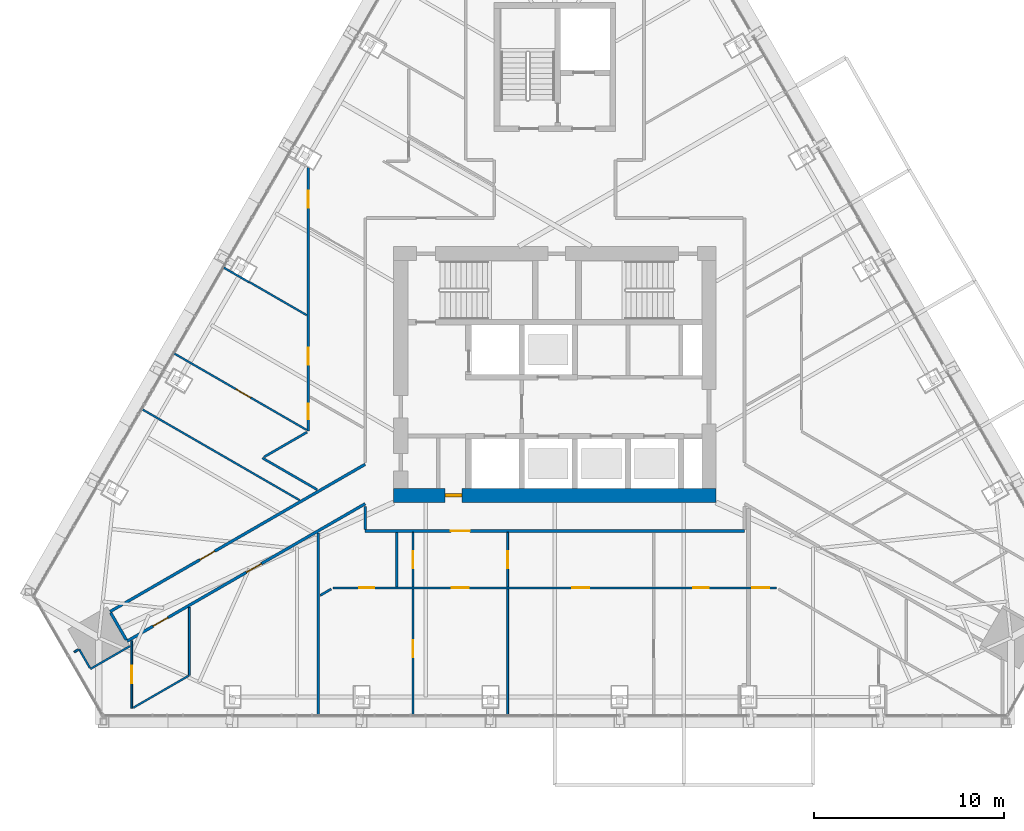
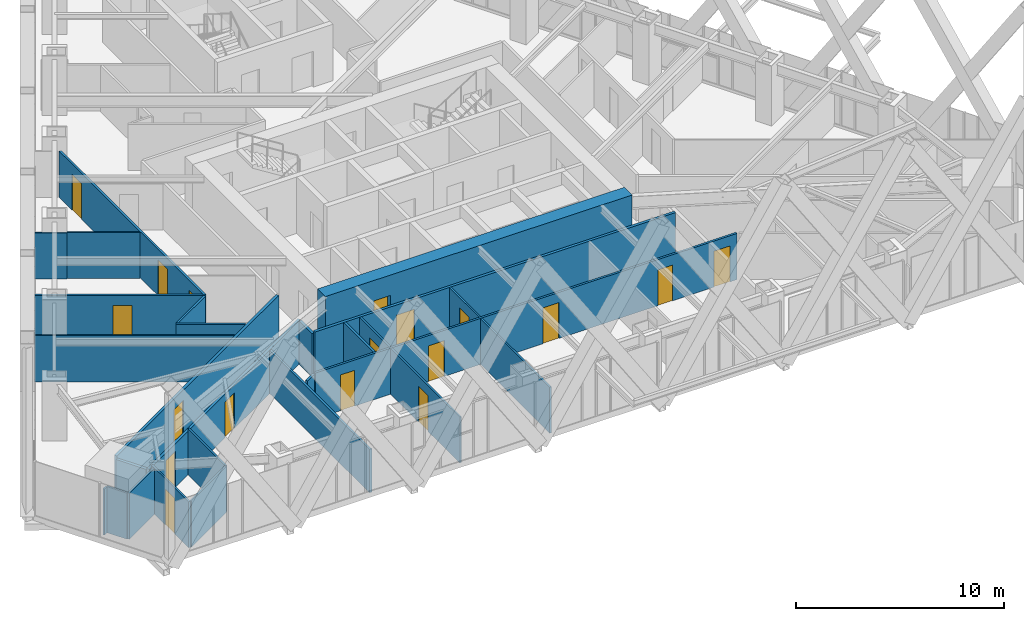
# One storey, part 18 of 24: 27 walls, 18 doors, 18 openings.
"""IFC4 building model written with IfcOpenShell, lengths in metres."""

from ifc_helpers import new_model, si_unit, direction, frame, frame_2d, origin, place, context, subcontext, project, spatial, rectangle, extrude, material, layer, layer_set, type_object, element, fill, save


model = new_model("IFC4")

# Units and contexts
model_context = context("Model", 3, precision=1e-05, world=origin(), true_north=direction((0.0, 1.0)))
body_context = subcontext(model_context, "Body", "Model", "MODEL_VIEW")
ifc_project = project(units=[si_unit("LENGTHUNIT", "METRE"), si_unit("AREAUNIT", "SQUARE_METRE"), si_unit("VOLUMEUNIT", "CUBIC_METRE"), si_unit("PLANEANGLEUNIT", "RADIAN"), si_unit("MASSUNIT", "GRAM", prefix="KILO")], contexts=[model_context])

# Site, building, storey
site_placement = place(None, origin())
site = spatial("IfcSite", under=ifc_project, at=site_placement, CompositionType="ELEMENT")
building_placement = place(site_placement, origin())
building = spatial("IfcBuilding", under=site, at=building_placement, Name="Firuza Gate Tower and Library", CompositionType="ELEMENT")
storey_placement = place(building_placement, frame((0.0, 0.0, 260.10009765625)))
storey = spatial("IfcBuildingStorey", under=building, at=storey_placement, Name="L61", CompositionType="ELEMENT", Elevation=260.10009765625)

# Wall, opening, door
ifc_material_1 = material(Name="Concrete C60/75", Category="concrete")
ifc_layer_1 = layer(ifc_material_1, 0.75)
ifc_layer_set_1 = layer_set([ifc_layer_1], Name="Core wall 750 C60/75")
wall_type_1 = type_object("IfcWallType", Name="Core wall 750 C60/75", PredefinedType="SHEAR", material=ifc_layer_set_1)
wall_1_placement = place(storey_placement, frame((66.5, 68.625, 0.0), z_axis=(0.0, 0.0, 1.0), x_axis=(1.0, 0.0, 0.0)))
wall_1 = element("IfcWall", 1, at=wall_1_placement, inside=storey, type_object=wall_type_1, Name="Core wall L61 1", PredefinedType="SHEAR", context=body_context, shape_type="SweptSolid", body=[
    extrude(rectangle(XDim=17.0, YDim=0.75, at=frame_2d((8.5, 0.0))), origin(), (0.0, 0.0, 1.0), 3.2998046875),
])
opening_1_placement = place(wall_1_placement, frame((2.699951171875, 0.0, 0.0)))
opening_1 = element("IfcOpeningElement", 2, at=opening_1_placement, cuts=wall_1, Name="Opening L61-K18", PredefinedType="OPENING", context=body_context, shape_type="SweptSolid", body=[
    extrude(rectangle(XDim=0.89990234375, YDim=2.10009765625, at=frame_2d((0.449951171875, 1.050048828125))), frame((0.0, 0.385009765625, 0.0), z_axis=(0.0, -1.0, 0.0), x_axis=(1.0, 0.0, 0.0)), (0.0, 0.0, 1.0), 0.77001953125),
])
ifc_material_2 = material(Name="Steel", Category="steel")
door_type_1 = type_object("IfcDoorType", Name="Fire door 900x2100 FD30S", OperationType="NOTDEFINED", PredefinedType="DOOR", material=ifc_material_2)
door_1_placement = place(opening_1_placement, origin())
door_1 = element("IfcDoor", 3, at=door_1_placement, inside=storey, type_object=door_type_1, Name="Door L61-K18", OperationType="SINGLE_SWING_LEFT", OverallHeight=2.10009765625, OverallWidth=0.89990234375, PredefinedType="DOOR", context=body_context, shape_type="SweptSolid", body=[
    extrude(rectangle(XDim=0.89990234375, YDim=2.10009765625, at=frame_2d((0.449951171875, 1.050048828125))), frame((0.0, 0.094970703125, 0.0), z_axis=(0.0, -1.0, 0.0), x_axis=(1.0, 0.0, 0.0)), (0.0, 0.0, 1.0), 0.18994140625),
])
fill(opening_1, door_1)

ifc_material_3 = material(Name="Gypsum board partition")
ifc_layer_2 = layer(ifc_material_3, 0.14990234375)
ifc_layer_set_2 = layer_set([ifc_layer_2], Name="Corridor wall 150 double board on steel studs")
wall_type_2 = type_object("IfcWallType", Name="Corridor wall 150 double board on steel studs", PredefinedType="PARTITIONING", material=ifc_layer_set_2)
wall_2_placement = place(storey_placement, frame((85.0, 66.75, 0.0), z_axis=(0.0, 0.0, 1.0), x_axis=(-1.0, 0.0, 0.0)))
wall_2 = element("IfcWall", 4, at=wall_2_placement, inside=storey, type_object=wall_type_2, Name="f:L61:w003", PredefinedType="PARTITIONING", context=body_context, shape_type="SweptSolid", body=[
    extrude(rectangle(XDim=20.0, YDim=0.14990234375, at=frame_2d((10.0, 0.0))), origin(), (0.0, 0.0, 1.0), 2.699951171875),
])
opening_2_placement = place(wall_2_placement, frame((14.486572265625, 0.0, 0.0)))
opening_2 = element("IfcOpeningElement", 5, at=opening_2_placement, cuts=wall_2, Name="Opening L61-06", PredefinedType="OPENING", context=body_context, shape_type="SweptSolid", body=[
    extrude(rectangle(XDim=1.0, YDim=2.10009765625, at=frame_2d((0.5, 1.050048828125))), frame((0.0, 0.0849609375, 0.0), z_axis=(0.0, -1.0, 0.0), x_axis=(1.0, 0.0, 0.0)), (0.0, 0.0, 1.0), 0.169921875),
])
ifc_material_4 = material(Name="Steel door and timber leaf", Category="steel")
door_type_2 = type_object("IfcDoorType", Name="Fire door 1000 x 2100 steel frame, timber leaf", OperationType="NOTDEFINED", PredefinedType="DOOR", material=ifc_material_4)
door_2_placement = place(opening_2_placement, origin())
door_2 = element("IfcDoor", 6, at=door_2_placement, inside=storey, type_object=door_type_2, Name="f:L61:d006", OperationType="SINGLE_SWING_LEFT", OverallHeight=2.10009765625, OverallWidth=1.0, PredefinedType="DOOR", context=body_context, shape_type="SweptSolid", body=[
    extrude(rectangle(XDim=1.0, YDim=2.10009765625, at=frame_2d((0.5, 1.050048828125))), frame((0.0, 0.02490234375, 0.0), z_axis=(0.0, -1.0, 0.0), x_axis=(1.0, 0.0, 0.0)), (0.0, 0.0, 1.0), 0.050048828125),
])
fill(opening_2, door_2)

# Wall, openings, doors
wall_3_placement = place(storey_placement, frame((65.0, 68.187255859375, 0.0), z_axis=(0.0, 0.0, 1.0), x_axis=(-0.866027660432, -0.499996091351, 0.0)))
wall_3 = element("IfcWall", 7, at=wall_3_placement, inside=storey, type_object=wall_type_2, Name="f:L61:w023", PredefinedType="PARTITIONING", context=body_context, shape_type="SweptSolid", body=[
    extrude(rectangle(XDim=14.49365234375, YDim=0.14990234375, at=frame_2d((7.246826171875, 0.0))), origin(), (0.0, 0.0, 1.0), 2.546875),
])
opening_3_placement = place(wall_3_placement, frame((6.324462890625, 0.0, 0.0)))
opening_3 = element("IfcOpeningElement", 8, at=opening_3_placement, cuts=wall_3, Name="Opening L61-14", PredefinedType="OPENING", context=body_context, shape_type="SweptSolid", body=[
    extrude(rectangle(XDim=0.89990234375, YDim=2.10009765625, at=frame_2d((0.449951171875, 1.050048828125))), frame((0.0, 0.0849609375, 0.0), z_axis=(0.0, -1.0, 0.0), x_axis=(1.0, 0.0, 0.0)), (0.0, 0.0, 1.0), 0.169921875),
])
opening_4_placement = place(wall_3_placement, frame((12.003662109375, 0.0, 0.0)))
opening_4 = element("IfcOpeningElement", 9, at=opening_4_placement, cuts=wall_3, Name="Opening L61-15", PredefinedType="OPENING", context=body_context, shape_type="SweptSolid", body=[
    extrude(rectangle(XDim=0.89990234375, YDim=2.10009765625, at=frame_2d((0.449951171875, 1.050048828125))), frame((0.0, 0.0849609375, 0.0), z_axis=(0.0, -1.0, 0.0), x_axis=(1.0, 0.0, 0.0)), (0.0, 0.0, 1.0), 0.169921875),
])
ifc_material_5 = material(Name="Steel door and timber leaf", Category="steel")
door_type_3 = type_object("IfcDoorType", Name="Fire door 900 x 2100 steel frame, timber leaf", OperationType="NOTDEFINED", PredefinedType="DOOR", material=ifc_material_5)
door_3_placement = place(opening_3_placement, origin())
door_3 = element("IfcDoor", 10, at=door_3_placement, inside=storey, type_object=door_type_3, Name="f:L61:d014", OperationType="SINGLE_SWING_RIGHT", OverallHeight=2.10009765625, OverallWidth=0.89990234375, PredefinedType="DOOR", context=body_context, shape_type="SweptSolid", body=[
    extrude(rectangle(XDim=0.89990234375, YDim=2.10009765625, at=frame_2d((0.449951171875, 1.050048828125))), frame((0.0, 0.02490234375, 0.0), z_axis=(0.0, -1.0, 0.0), x_axis=(1.0, 0.0, 0.0)), (0.0, 0.0, 1.0), 0.050048828125),
])
fill(opening_3, door_3)
door_4_placement = place(opening_4_placement, origin())
door_4 = element("IfcDoor", 11, at=door_4_placement, inside=storey, type_object=door_type_3, Name="f:L61:d015", OperationType="SINGLE_SWING_LEFT", OverallHeight=2.10009765625, OverallWidth=0.89990234375, PredefinedType="DOOR", context=body_context, shape_type="SweptSolid", body=[
    extrude(rectangle(XDim=0.89990234375, YDim=2.10009765625, at=frame_2d((0.449951171875, 1.050048828125))), frame((0.0, 0.02490234375, 0.0), z_axis=(0.0, -1.0, 0.0), x_axis=(1.0, 0.0, 0.0)), (0.0, 0.0, 1.0), 0.050048828125),
])
fill(opening_4, door_4)

# Wall, opening, door
wall_4_placement = place(storey_placement, frame((51.548583984375, 62.49951171875, 0.0), z_axis=(0.0, 0.0, 1.0), x_axis=(0.866020420161, 0.50000863179, 0.0)))
wall_4 = element("IfcWall", 12, at=wall_4_placement, inside=storey, type_object=wall_type_2, Name="f:L61:w025", PredefinedType="PARTITIONING", context=body_context, shape_type="SweptSolid", body=[
    extrude(rectangle(XDim=15.532470703125, YDim=0.14990234375, at=frame_2d((7.76611328125, 0.0))), origin(), (0.0, 0.0, 1.0), 2.699951171875),
])
opening_5_placement = place(wall_4_placement, frame((5.473876953125, 0.0, 0.0)))
opening_5 = element("IfcOpeningElement", 13, at=opening_5_placement, cuts=wall_4, Name="Opening L61-16", PredefinedType="OPENING", context=body_context, shape_type="SweptSolid", body=[
    extrude(rectangle(XDim=0.89990234375, YDim=2.10009765625, at=frame_2d((0.449951171875, 1.050048828125))), frame((0.0, 0.0849609375, 0.0), z_axis=(0.0, -1.0, 0.0), x_axis=(1.0, 0.0, 0.0)), (0.0, 0.0, 1.0), 0.169921875),
])
door_5_placement = place(opening_5_placement, origin())
door_5 = element("IfcDoor", 14, at=door_5_placement, inside=storey, type_object=door_type_3, Name="f:L61:d016", OperationType="SINGLE_SWING_RIGHT", OverallHeight=2.10009765625, OverallWidth=0.89990234375, PredefinedType="DOOR", context=body_context, shape_type="SweptSolid", body=[
    extrude(rectangle(XDim=0.89990234375, YDim=2.10009765625, at=frame_2d((0.449951171875, 1.050048828125))), frame((0.0, 0.02490234375, 0.0), z_axis=(0.0, -1.0, 0.0), x_axis=(1.0, 0.0, 0.0)), (0.0, 0.0, 1.0), 0.050048828125),
])
fill(opening_5, door_5)

# Walls
wall_5_placement = place(storey_placement, frame((65.0, 66.824951171875, 0.0), z_axis=(0.0, 0.0, 1.0), x_axis=(0.0, 1.0, 0.0)))
element("IfcWall", 15, at=wall_5_placement, inside=storey, type_object=wall_type_2, Name="f:L61:w056", PredefinedType="PARTITIONING", context=body_context, shape_type="SweptSolid", body=[
    extrude(rectangle(XDim=1.225830078125, YDim=0.14990234375, at=frame_2d((0.61279296875, 0.0))), origin(), (0.0, 0.0, 1.0), 2.546875),
])
wall_6_placement = place(storey_placement, frame((52.408203125, 61.01025390625, 0.0), z_axis=(0.0, 0.0, 1.0), x_axis=(-0.499988108725, 0.866032269107, 0.0)))
element("IfcWall", 16, at=wall_6_placement, inside=storey, type_object=wall_type_2, Name="f:L61:w062", PredefinedType="PARTITIONING", context=body_context, shape_type="SweptSolid", body=[
    extrude(rectangle(XDim=1.64404296875, YDim=0.14990234375, at=frame_2d((0.822021484375, 0.0))), origin(), (0.0, 0.0, 1.0), 2.546875),
])
ifc_material_6 = material(Name="Gypsum board partition")
ifc_layer_3 = layer(ifc_material_6, 0.10009765625)
ifc_layer_set_3 = layer_set([ifc_layer_3], Name="Partition 100 gypsum board on steel studs")
wall_type_3 = type_object("IfcWallType", Name="Partition 100 gypsum board on steel studs", PredefinedType="PARTITIONING", material=ifc_layer_set_3)
wall_7_placement = place(storey_placement, frame((52.779052734375, 57.4365234375, 0.0), z_axis=(0.0, 0.0, 1.0), x_axis=(0.866038859646, 0.49997669304, 0.0)))
element("IfcWall", 17, at=wall_7_placement, inside=storey, type_object=wall_type_3, Name="f:L61:w018", PredefinedType="PARTITIONING", context=body_context, shape_type="SweptSolid", body=[
    extrude(rectangle(XDim=3.352783203125, YDim=0.10009765625, at=frame_2d((1.67626953125, 0.0))), origin(), (0.0, 0.0, 1.0), 2.699951171875),
])
wall_8_placement = place(storey_placement, frame((50.52001953125, 59.48095703125, 0.0), z_axis=(0.0, 0.0, 1.0), x_axis=(0.866036455013, 0.499980858223, 0.0)))
element("IfcWall", 18, at=wall_8_placement, inside=storey, type_object=wall_type_3, Name="f:L61:w021", PredefinedType="PARTITIONING", context=body_context, shape_type="SweptSolid", body=[
    extrude(rectangle(XDim=2.39892578125, YDim=0.10009765625, at=frame_2d((1.199462890625, 0.0))), origin(), (0.0, 0.0, 1.0), 2.699951171875),
])
wall_9_placement = place(storey_placement, frame((49.65966796875, 60.369873046875, 0.0), z_axis=(0.0, 0.0, 1.0), x_axis=(0.866006330792, 0.500033033937, 0.0)))
element("IfcWall", 19, at=wall_9_placement, inside=storey, type_object=wall_type_3, Name="f:L61:w024", PredefinedType="PARTITIONING", context=body_context, shape_type="SweptSolid", body=[
    extrude(rectangle(XDim=0.24951171875, YDim=0.10009765625, at=frame_2d((0.124755859375, 0.0))), origin(), (0.0, 0.0, 1.0), 2.699951171875),
])
wall_10_placement = place(storey_placement, frame((72.507080078125, 57.042236328125, 0.0), z_axis=(0.0, 0.0, 1.0), x_axis=(0.0, 1.0, 0.0)))
element("IfcWall", 20, at=wall_10_placement, inside=storey, type_object=wall_type_3, Name="f:L61:w050", PredefinedType="PARTITIONING", context=body_context, shape_type="SweptSolid", body=[
    extrude(rectangle(XDim=6.647705078125, YDim=0.10009765625, at=frame_2d((3.32373046875, 0.0))), origin(), (0.0, 0.0, 1.0), 2.68798828125),
])

# Wall, opening, door
wall_11_placement = place(storey_placement, frame((67.52001953125, 57.042236328125, 0.0), z_axis=(0.0, 0.0, 1.0), x_axis=(0.0, 1.0, 0.0)))
wall_11 = element("IfcWall", 21, at=wall_11_placement, inside=storey, type_object=wall_type_3, Name="f:L61:w053", PredefinedType="PARTITIONING", context=body_context, shape_type="SweptSolid", body=[
    extrude(rectangle(XDim=6.647705078125, YDim=0.10009765625, at=frame_2d((3.32373046875, 0.0))), origin(), (0.0, 0.0, 1.0), 2.68798828125),
])
opening_6_placement = place(wall_11_placement, frame((3.053955078125, 0.0, 0.0)))
opening_6 = element("IfcOpeningElement", 22, at=opening_6_placement, cuts=wall_11, Name="Opening L61-24", PredefinedType="OPENING", context=body_context, shape_type="SweptSolid", body=[
    extrude(rectangle(XDim=0.89990234375, YDim=2.10009765625, at=frame_2d((0.449951171875, 1.050048828125))), frame((0.0, 0.06005859375, 0.0), z_axis=(0.0, -1.0, 0.0), x_axis=(1.0, 0.0, 0.0)), (0.0, 0.0, 1.0), 0.1201171875),
])
ifc_material_7 = material(Name="Timber door", Category="wood")
door_type_4 = type_object("IfcDoorType", Name="Door 900 x 2100 timber leaf", OperationType="NOTDEFINED", PredefinedType="DOOR", material=ifc_material_7)
door_6_placement = place(opening_6_placement, origin())
door_6 = element("IfcDoor", 23, at=door_6_placement, inside=storey, type_object=door_type_4, Name="f:L61:d024", OperationType="SINGLE_SWING_LEFT", OverallHeight=2.10009765625, OverallWidth=0.89990234375, PredefinedType="DOOR", context=body_context, shape_type="SweptSolid", body=[
    extrude(rectangle(XDim=0.89990234375, YDim=2.10009765625, at=frame_2d((0.449951171875, 1.050048828125))), frame((0.0, 0.02490234375, 0.0), z_axis=(0.0, -1.0, 0.0), x_axis=(1.0, 0.0, 0.0)), (0.0, 0.0, 1.0), 0.050048828125),
])
fill(opening_6, door_6)

# Wall
wall_12_placement = place(storey_placement, frame((55.73291015625, 59.142333984375, 0.0), z_axis=(0.0, 0.0, 1.0), x_axis=(0.0, 1.0, 0.0)))
element("IfcWall", 24, at=wall_12_placement, inside=storey, type_object=wall_type_3, Name="f:L61:w060", PredefinedType="PARTITIONING", context=body_context, shape_type="SweptSolid", body=[
    extrude(rectangle(XDim=3.578125, YDim=0.10009765625, at=frame_2d((1.7890625, 0.0))), origin(), (0.0, 0.0, 1.0), 2.699951171875),
])

# Wall, opening, door
wall_13_placement = place(storey_placement, frame((52.697021484375, 60.96728515625, 0.0), z_axis=(0.0, 0.0, 1.0), x_axis=(0.0, -1.0, 0.0)))
wall_13 = element("IfcWall", 25, at=wall_13_placement, inside=storey, type_object=wall_type_3, Name="f:L61:w061", PredefinedType="PARTITIONING", context=body_context, shape_type="SweptSolid", body=[
    extrude(rectangle(XDim=3.565185546875, YDim=0.10009765625, at=frame_2d((1.78271484375, 0.0))), origin(), (0.0, 0.0, 1.0), 2.699951171875),
])
opening_7_placement = place(wall_13_placement, frame((1.33251953125, 0.0, 0.0)))
opening_7 = element("IfcOpeningElement", 26, at=opening_7_placement, cuts=wall_13, Name="Opening L61-29", PredefinedType="OPENING", context=body_context, shape_type="SweptSolid", body=[
    extrude(rectangle(XDim=0.89990234375, YDim=2.10009765625, at=frame_2d((0.449951171875, 1.050048828125))), frame((0.0, 0.06005859375, 0.0), z_axis=(0.0, -1.0, 0.0), x_axis=(1.0, 0.0, 0.0)), (0.0, 0.0, 1.0), 0.1201171875),
])
door_7_placement = place(opening_7_placement, origin())
door_7 = element("IfcDoor", 27, at=door_7_placement, inside=storey, type_object=door_type_4, Name="f:L61:d029", OperationType="SINGLE_SWING_RIGHT", OverallHeight=2.10009765625, OverallWidth=0.89990234375, PredefinedType="DOOR", context=body_context, shape_type="SweptSolid", body=[
    extrude(rectangle(XDim=0.89990234375, YDim=2.10009765625, at=frame_2d((0.449951171875, 1.050048828125))), frame((0.0, 0.02490234375, 0.0), z_axis=(0.0, -1.0, 0.0), x_axis=(1.0, 0.0, 0.0)), (0.0, 0.0, 1.0), 0.050048828125),
])
fill(opening_7, door_7)

# Walls
wall_14_placement = place(storey_placement, frame((50.49462890625, 59.524658203125, 0.0), z_axis=(0.0, 0.0, 1.0), x_axis=(-0.50004744102, 0.865998011966, 0.0)))
element("IfcWall", 28, at=wall_14_placement, inside=storey, type_object=wall_type_3, Name="f:L61:w063", PredefinedType="PARTITIONING", context=body_context, shape_type="SweptSolid", body=[
    extrude(rectangle(XDim=1.14892578125, YDim=0.10009765625, at=frame_2d((0.574462890625, 0.0))), origin(), (0.0, 0.0, 1.0), 2.699951171875),
])
wall_15_placement = place(storey_placement, frame((61.914306640625, 78.129150390625, 0.0), z_axis=(0.0, 0.0, 1.0), x_axis=(-0.866011380966, 0.500024287448, 0.0)))
element("IfcWall", 29, at=wall_15_placement, inside=storey, type_object=wall_type_3, Name="f:L61:w076", PredefinedType="PARTITIONING", context=body_context, shape_type="SweptSolid", body=[
    extrude(rectangle(XDim=3.500732421875, YDim=0.10009765625, at=frame_2d((1.75048828125, 0.0))), origin(), (0.0, 0.0, 1.0), 2.699951171875),
])
wall_16_placement = place(storey_placement, frame((58.8740234375, 79.86474609375, 0.0), z_axis=(0.0, 0.0, 1.0), x_axis=(-0.865990094875, 0.500061151839, 0.0)))
element("IfcWall", 30, at=wall_16_placement, inside=storey, type_object=wall_type_3, Name="f:L61:w077", PredefinedType="PARTITIONING", context=body_context, shape_type="SweptSolid", body=[
    extrude(rectangle(XDim=1.559814453125, YDim=0.10009765625, at=frame_2d((0.77978515625, 0.0))), origin(), (0.0, 0.0, 1.0), 2.68798828125),
])

# Wall, opening, door
wall_17_placement = place(storey_placement, frame((61.9140625, 72.076416015625, 0.0), z_axis=(0.0, 0.0, 1.0), x_axis=(-0.86602370202, 0.50000294753, 0.0)))
wall_17 = element("IfcWall", 31, at=wall_17_placement, inside=storey, type_object=wall_type_3, Name="f:L61:w080", PredefinedType="PARTITIONING", context=body_context, shape_type="SweptSolid", body=[
    extrude(rectangle(XDim=8.0869140625, YDim=0.10009765625, at=frame_2d((4.04345703125, 0.0))), origin(), (0.0, 0.0, 1.0), 2.68798828125),
])
opening_8_placement = place(wall_17_placement, frame((3.413330078125, 0.0, 0.0)))
opening_8 = element("IfcOpeningElement", 32, at=opening_8_placement, cuts=wall_17, Name="Opening L61-36", PredefinedType="OPENING", context=body_context, shape_type="SweptSolid", body=[
    extrude(rectangle(XDim=0.89990234375, YDim=2.10009765625, at=frame_2d((0.449951171875, 1.050048828125))), frame((0.0, 0.06005859375, 0.0), z_axis=(0.0, -1.0, 0.0), x_axis=(1.0, 0.0, 0.0)), (0.0, 0.0, 1.0), 0.1201171875),
])
door_8_placement = place(opening_8_placement, origin())
door_8 = element("IfcDoor", 33, at=door_8_placement, inside=storey, type_object=door_type_4, Name="f:L61:d036", OperationType="SINGLE_SWING_RIGHT", OverallHeight=2.10009765625, OverallWidth=0.89990234375, PredefinedType="DOOR", context=body_context, shape_type="SweptSolid", body=[
    extrude(rectangle(XDim=0.89990234375, YDim=2.10009765625, at=frame_2d((0.449951171875, 1.050048828125))), frame((0.0, 0.02490234375, 0.0), z_axis=(0.0, -1.0, 0.0), x_axis=(1.0, 0.0, 0.0)), (0.0, 0.0, 1.0), 0.050048828125),
])
fill(opening_8, door_8)

# Wall
wall_18_placement = place(storey_placement, frame((61.5322265625, 68.380126953125, 0.0), z_axis=(0.0, 0.0, 1.0), x_axis=(-0.866022611517, 0.500004836318, 0.0)))
element("IfcWall", 34, at=wall_18_placement, inside=storey, type_object=wall_type_3, Name="f:L61:w082", PredefinedType="PARTITIONING", context=body_context, shape_type="SweptSolid", body=[
    extrude(rectangle(XDim=9.6044921875, YDim=0.10009765625, at=frame_2d((4.80224609375, 0.0))), origin(), (0.0, 0.0, 1.0), 2.699951171875),
])

# Wall, opening, door
wall_19_placement = place(storey_placement, frame((72.507080078125, 66.675048828125, 0.0), z_axis=(0.0, 0.0, 1.0), x_axis=(0.0, -1.0, 0.0)))
wall_19 = element("IfcWall", 35, at=wall_19_placement, inside=storey, type_object=wall_type_3, Name="f:L61:w088", PredefinedType="PARTITIONING", context=body_context, shape_type="SweptSolid", body=[
    extrude(rectangle(XDim=2.864990234375, YDim=0.10009765625, at=frame_2d((1.4326171875, 0.0))), origin(), (0.0, 0.0, 1.0), 2.699951171875),
])
opening_9_placement = place(wall_19_placement, frame((0.982421875, 0.0, 0.0)))
opening_9 = element("IfcOpeningElement", 36, at=opening_9_placement, cuts=wall_19, Name="Opening L61-37", PredefinedType="OPENING", context=body_context, shape_type="SweptSolid", body=[
    extrude(rectangle(XDim=0.89990234375, YDim=2.10009765625, at=frame_2d((0.449951171875, 1.050048828125))), frame((0.0, 0.06005859375, 0.0), z_axis=(0.0, -1.0, 0.0), x_axis=(1.0, 0.0, 0.0)), (0.0, 0.0, 1.0), 0.1201171875),
])
door_9_placement = place(opening_9_placement, origin())
door_9 = element("IfcDoor", 37, at=door_9_placement, inside=storey, type_object=door_type_4, Name="f:L61:d037", OperationType="SINGLE_SWING_LEFT", OverallHeight=2.10009765625, OverallWidth=0.89990234375, PredefinedType="DOOR", context=body_context, shape_type="SweptSolid", body=[
    extrude(rectangle(XDim=0.89990234375, YDim=2.10009765625, at=frame_2d((0.449951171875, 1.050048828125))), frame((0.0, 0.02490234375, 0.0), z_axis=(0.0, -1.0, 0.0), x_axis=(1.0, 0.0, 0.0)), (0.0, 0.0, 1.0), 0.050048828125),
])
fill(opening_9, door_9)

wall_20_placement = place(storey_placement, frame((67.52001953125, 63.81005859375, 0.0), z_axis=(0.0, 0.0, 1.0), x_axis=(0.0, 1.0, 0.0)))
wall_20 = element("IfcWall", 38, at=wall_20_placement, inside=storey, type_object=wall_type_3, Name="f:L61:w089", PredefinedType="PARTITIONING", context=body_context, shape_type="SweptSolid", body=[
    extrude(rectangle(XDim=2.864990234375, YDim=0.10009765625, at=frame_2d((1.4326171875, 0.0))), origin(), (0.0, 0.0, 1.0), 2.699951171875),
])
opening_10_placement = place(wall_20_placement, frame((0.982421875, 0.0, 0.0)))
opening_10 = element("IfcOpeningElement", 39, at=opening_10_placement, cuts=wall_20, Name="Opening L61-38", PredefinedType="OPENING", context=body_context, shape_type="SweptSolid", body=[
    extrude(rectangle(XDim=0.89990234375, YDim=2.10009765625, at=frame_2d((0.449951171875, 1.050048828125))), frame((0.0, 0.06005859375, 0.0), z_axis=(0.0, -1.0, 0.0), x_axis=(1.0, 0.0, 0.0)), (0.0, 0.0, 1.0), 0.1201171875),
])
door_10_placement = place(opening_10_placement, origin())
door_10 = element("IfcDoor", 40, at=door_10_placement, inside=storey, type_object=door_type_4, Name="f:L61:d038", OperationType="SINGLE_SWING_LEFT", OverallHeight=2.10009765625, OverallWidth=0.89990234375, PredefinedType="DOOR", context=body_context, shape_type="SweptSolid", body=[
    extrude(rectangle(XDim=0.89990234375, YDim=2.10009765625, at=frame_2d((0.449951171875, 1.050048828125))), frame((0.0, 0.02490234375, 0.0), z_axis=(0.0, -1.0, 0.0), x_axis=(1.0, 0.0, 0.0)), (0.0, 0.0, 1.0), 0.050048828125),
])
fill(opening_10, door_10)

# Wall, openings, doors
ifc_material_8 = material(Name="Gypsum board partition")
ifc_layer_4 = layer(ifc_material_8, 0.1201171875)
ifc_layer_set_4 = layer_set([ifc_layer_4], Name="Wet-area partition 120 moisture-resistant board")
wall_type_4 = type_object("IfcWallType", Name="Wet-area partition 120 moisture-resistant board", PredefinedType="PARTITIONING", material=ifc_layer_set_4)
wall_21_placement = place(storey_placement, frame((63.314453125, 63.75, 0.0), z_axis=(0.0, 0.0, 1.0), x_axis=(1.0, 0.0, 0.0)))
wall_21 = element("IfcWall", 41, at=wall_21_placement, inside=storey, type_object=wall_type_4, Name="f:L61:w002", PredefinedType="PARTITIONING", context=body_context, shape_type="SweptSolid", body=[
    extrude(rectangle(XDim=23.37109375, YDim=0.1201171875, at=frame_2d((11.685546875, 0.0))), origin(), (0.0, 0.0, 1.0), 2.699951171875),
])
opening_11_placement = place(wall_21_placement, frame((1.371826171875, 0.0, 0.0)))
opening_11 = element("IfcOpeningElement", 42, at=opening_11_placement, cuts=wall_21, Name="Opening L61-01", PredefinedType="OPENING", context=body_context, shape_type="SweptSolid", body=[
    extrude(rectangle(XDim=0.800048828125, YDim=2.10009765625, at=frame_2d((0.39990234375, 1.050048828125))), frame((0.0, 0.070068359375, 0.0), z_axis=(0.0, -1.0, 0.0), x_axis=(1.0, 0.0, 0.0)), (0.0, 0.0, 1.0), 0.14013671875),
])
opening_12_placement = place(wall_21_placement, frame((6.2490234375, 0.0, 0.0)))
opening_12 = element("IfcOpeningElement", 43, at=opening_12_placement, cuts=wall_21, Name="Opening L61-02", PredefinedType="OPENING", context=body_context, shape_type="SweptSolid", body=[
    extrude(rectangle(XDim=0.89990234375, YDim=2.10009765625, at=frame_2d((0.449951171875, 1.050048828125))), frame((0.0, 0.070068359375, 0.0), z_axis=(0.0, -1.0, 0.0), x_axis=(1.0, 0.0, 0.0)), (0.0, 0.0, 1.0), 0.14013671875),
])
opening_13_placement = place(wall_21_placement, frame((12.595458984375, 0.0, 0.0)))
opening_13 = element("IfcOpeningElement", 44, at=opening_13_placement, cuts=wall_21, Name="Opening L61-03", PredefinedType="OPENING", context=body_context, shape_type="SweptSolid", body=[
    extrude(rectangle(XDim=0.89990234375, YDim=2.10009765625, at=frame_2d((0.449951171875, 1.050048828125))), frame((0.0, 0.070068359375, 0.0), z_axis=(0.0, -1.0, 0.0), x_axis=(1.0, 0.0, 0.0)), (0.0, 0.0, 1.0), 0.14013671875),
])
opening_14_placement = place(wall_21_placement, frame((18.9921875, 0.0, 0.0)))
opening_14 = element("IfcOpeningElement", 45, at=opening_14_placement, cuts=wall_21, Name="Opening L61-04", PredefinedType="OPENING", context=body_context, shape_type="SweptSolid", body=[
    extrude(rectangle(XDim=0.800048828125, YDim=2.10009765625, at=frame_2d((0.39990234375, 1.050048828125))), frame((0.0, 0.070068359375, 0.0), z_axis=(0.0, -1.0, 0.0), x_axis=(1.0, 0.0, 0.0)), (0.0, 0.0, 1.0), 0.14013671875),
])
opening_15_placement = place(wall_21_placement, frame((22.078369140625, 0.0, 0.0)))
opening_15 = element("IfcOpeningElement", 46, at=opening_15_placement, cuts=wall_21, Name="Opening L61-05", PredefinedType="OPENING", context=body_context, shape_type="SweptSolid", body=[
    extrude(rectangle(XDim=0.89990234375, YDim=2.10009765625, at=frame_2d((0.449951171875, 1.050048828125))), frame((0.0, 0.070068359375, 0.0), z_axis=(0.0, -1.0, 0.0), x_axis=(1.0, 0.0, 0.0)), (0.0, 0.0, 1.0), 0.14013671875),
])
ifc_material_9 = material(Name="Timber door", Category="wood")
door_type_5 = type_object("IfcDoorType", Name="Door 800 x 2100 timber leaf", OperationType="NOTDEFINED", PredefinedType="DOOR", material=ifc_material_9)
door_11_placement = place(opening_11_placement, origin())
door_11 = element("IfcDoor", 47, at=door_11_placement, inside=storey, type_object=door_type_5, Name="f:L61:d001", OperationType="SINGLE_SWING_RIGHT", OverallHeight=2.10009765625, OverallWidth=0.800048828125, PredefinedType="DOOR", context=body_context, shape_type="SweptSolid", body=[
    extrude(rectangle(XDim=0.800048828125, YDim=2.10009765625, at=frame_2d((0.39990234375, 1.050048828125))), frame((0.0, 0.02490234375, 0.0), z_axis=(0.0, -1.0, 0.0), x_axis=(1.0, 0.0, 0.0)), (0.0, 0.0, 1.0), 0.050048828125),
])
fill(opening_11, door_11)
door_12_placement = place(opening_14_placement, origin())
door_12 = element("IfcDoor", 48, at=door_12_placement, inside=storey, type_object=door_type_5, Name="f:L61:d004", OperationType="SINGLE_SWING_LEFT", OverallHeight=2.10009765625, OverallWidth=0.800048828125, PredefinedType="DOOR", context=body_context, shape_type="SweptSolid", body=[
    extrude(rectangle(XDim=0.800048828125, YDim=2.10009765625, at=frame_2d((0.39990234375, 1.050048828125))), frame((0.0, 0.02490234375, 0.0), z_axis=(0.0, -1.0, 0.0), x_axis=(1.0, 0.0, 0.0)), (0.0, 0.0, 1.0), 0.050048828125),
])
fill(opening_14, door_12)
door_13_placement = place(opening_12_placement, origin())
door_13 = element("IfcDoor", 49, at=door_13_placement, inside=storey, type_object=door_type_4, Name="f:L61:d002", OperationType="SINGLE_SWING_LEFT", OverallHeight=2.10009765625, OverallWidth=0.89990234375, PredefinedType="DOOR", context=body_context, shape_type="SweptSolid", body=[
    extrude(rectangle(XDim=0.89990234375, YDim=2.10009765625, at=frame_2d((0.449951171875, 1.050048828125))), frame((0.0, 0.02490234375, 0.0), z_axis=(0.0, -1.0, 0.0), x_axis=(1.0, 0.0, 0.0)), (0.0, 0.0, 1.0), 0.050048828125),
])
fill(opening_12, door_13)
door_14_placement = place(opening_13_placement, origin())
door_14 = element("IfcDoor", 50, at=door_14_placement, inside=storey, type_object=door_type_4, Name="f:L61:d003", OperationType="SINGLE_SWING_RIGHT", OverallHeight=2.10009765625, OverallWidth=0.89990234375, PredefinedType="DOOR", context=body_context, shape_type="SweptSolid", body=[
    extrude(rectangle(XDim=0.89990234375, YDim=2.10009765625, at=frame_2d((0.449951171875, 1.050048828125))), frame((0.0, 0.02490234375, 0.0), z_axis=(0.0, -1.0, 0.0), x_axis=(1.0, 0.0, 0.0)), (0.0, 0.0, 1.0), 0.050048828125),
])
fill(opening_13, door_14)
door_15_placement = place(opening_15_placement, origin())
door_15 = element("IfcDoor", 51, at=door_15_placement, inside=storey, type_object=door_type_4, Name="f:L61:d005", OperationType="SINGLE_SWING_RIGHT", OverallHeight=2.10009765625, OverallWidth=0.89990234375, PredefinedType="DOOR", context=body_context, shape_type="SweptSolid", body=[
    extrude(rectangle(XDim=0.89990234375, YDim=2.10009765625, at=frame_2d((0.449951171875, 1.050048828125))), frame((0.0, 0.02490234375, 0.0), z_axis=(0.0, -1.0, 0.0), x_axis=(1.0, 0.0, 0.0)), (0.0, 0.0, 1.0), 0.050048828125),
])
fill(opening_15, door_15)

# Walls
wall_22_placement = place(storey_placement, frame((62.6279296875, 63.353759765625, 0.0), z_axis=(0.0, 0.0, 1.0), x_axis=(0.865955892764, 0.500120377296, 0.0)))
element("IfcWall", 52, at=wall_22_placement, inside=storey, type_object=wall_type_4, Name="f:L61:w019", PredefinedType="PARTITIONING", context=body_context, shape_type="SweptSolid", body=[
    extrude(rectangle(XDim=0.672607421875, YDim=0.1201171875, at=frame_2d((0.33642578125, 0.0))), origin(), (0.0, 0.0, 1.0), 2.699951171875),
])
wall_23_placement = place(storey_placement, frame((59.673095703125, 70.654541015625, 0.0), z_axis=(0.0, 0.0, 1.0), x_axis=(0.866053563643, 0.499951222523, 0.0)))
element("IfcWall", 53, at=wall_23_placement, inside=storey, type_object=wall_type_4, Name="f:L61:w026", PredefinedType="PARTITIONING", context=body_context, shape_type="SweptSolid", body=[
    extrude(rectangle(XDim=2.617431640625, YDim=0.1201171875, at=frame_2d((1.30859375, 0.0))), origin(), (0.0, 0.0, 1.0), 2.699951171875),
])
wall_24_placement = place(storey_placement, frame((66.657958984375, 63.81005859375, 0.0), z_axis=(0.0, 0.0, 1.0), x_axis=(0.0, 1.0, 0.0)))
element("IfcWall", 54, at=wall_24_placement, inside=storey, type_object=wall_type_4, Name="f:L61:w055", PredefinedType="PARTITIONING", context=body_context, shape_type="SweptSolid", body=[
    extrude(rectangle(XDim=2.864990234375, YDim=0.1201171875, at=frame_2d((1.4326171875, 0.0))), origin(), (0.0, 0.0, 1.0), 2.699951171875),
])
wall_25_placement = place(storey_placement, frame((62.532958984375, 57.042236328125, 0.0), z_axis=(0.0, 0.0, 1.0), x_axis=(0.0, 1.0, 0.0)))
element("IfcWall", 55, at=wall_25_placement, inside=storey, type_object=wall_type_4, Name="f:L61:w058", PredefinedType="PARTITIONING", context=body_context, shape_type="SweptSolid", body=[
    extrude(rectangle(XDim=9.59423828125, YDim=0.1201171875, at=frame_2d((4.797119140625, 0.0))), origin(), (0.0, 0.0, 1.0), 2.546875),
])

# Wall, openings, doors
wall_26_placement = place(storey_placement, frame((62.0, 85.91162109375, 0.0), z_axis=(0.0, 0.0, 1.0), x_axis=(0.0, -1.0, 0.0)))
wall_26 = element("IfcWall", 56, at=wall_26_placement, inside=storey, type_object=wall_type_4, Name="f:L61:w059", PredefinedType="PARTITIONING", context=body_context, shape_type="SweptSolid", body=[
    extrude(rectangle(XDim=13.887939453125, YDim=0.1201171875, at=frame_2d((6.94384765625, 0.0))), origin(), (0.0, 0.0, 1.0), 2.699951171875),
])
opening_16_placement = place(wall_26_placement, frame((1.223876953125, 0.0, 0.0)))
opening_16 = element("IfcOpeningElement", 57, at=opening_16_placement, cuts=wall_26, Name="Opening L61-26", PredefinedType="OPENING", context=body_context, shape_type="SweptSolid", body=[
    extrude(rectangle(XDim=0.89990234375, YDim=2.10009765625, at=frame_2d((0.449951171875, 1.050048828125))), frame((0.0, 0.070068359375, 0.0), z_axis=(0.0, -1.0, 0.0), x_axis=(1.0, 0.0, 0.0)), (0.0, 0.0, 1.0), 0.14013671875),
])
opening_17_placement = place(wall_26_placement, frame((9.489501953125, 0.0, 0.0)))
opening_17 = element("IfcOpeningElement", 58, at=opening_17_placement, cuts=wall_26, Name="Opening L61-27", PredefinedType="OPENING", context=body_context, shape_type="SweptSolid", body=[
    extrude(rectangle(XDim=0.89990234375, YDim=2.10009765625, at=frame_2d((0.449951171875, 1.050048828125))), frame((0.0, 0.070068359375, 0.0), z_axis=(0.0, -1.0, 0.0), x_axis=(1.0, 0.0, 0.0)), (0.0, 0.0, 1.0), 0.14013671875),
])
opening_18_placement = place(wall_26_placement, frame((12.465576171875, 0.0, 0.0)))
opening_18 = element("IfcOpeningElement", 59, at=opening_18_placement, cuts=wall_26, Name="Opening L61-28", PredefinedType="OPENING", context=body_context, shape_type="SweptSolid", body=[
    extrude(rectangle(XDim=0.800048828125, YDim=2.10009765625, at=frame_2d((0.39990234375, 1.050048828125))), frame((0.0, 0.070068359375, 0.0), z_axis=(0.0, -1.0, 0.0), x_axis=(1.0, 0.0, 0.0)), (0.0, 0.0, 1.0), 0.14013671875),
])
door_16_placement = place(opening_18_placement, origin())
door_16 = element("IfcDoor", 60, at=door_16_placement, inside=storey, type_object=door_type_5, Name="f:L61:d028", OperationType="SINGLE_SWING_RIGHT", OverallHeight=2.10009765625, OverallWidth=0.800048828125, PredefinedType="DOOR", context=body_context, shape_type="SweptSolid", body=[
    extrude(rectangle(XDim=0.800048828125, YDim=2.10009765625, at=frame_2d((0.39990234375, 1.050048828125))), frame((0.0, 0.02490234375, 0.0), z_axis=(0.0, -1.0, 0.0), x_axis=(1.0, 0.0, 0.0)), (0.0, 0.0, 1.0), 0.050048828125),
])
fill(opening_18, door_16)
door_17_placement = place(opening_16_placement, origin())
door_17 = element("IfcDoor", 61, at=door_17_placement, inside=storey, type_object=door_type_4, Name="f:L61:d026", OperationType="SINGLE_SWING_RIGHT", OverallHeight=2.10009765625, OverallWidth=0.89990234375, PredefinedType="DOOR", context=body_context, shape_type="SweptSolid", body=[
    extrude(rectangle(XDim=0.89990234375, YDim=2.10009765625, at=frame_2d((0.449951171875, 1.050048828125))), frame((0.0, 0.02490234375, 0.0), z_axis=(0.0, -1.0, 0.0), x_axis=(1.0, 0.0, 0.0)), (0.0, 0.0, 1.0), 0.050048828125),
])
fill(opening_16, door_17)
door_18_placement = place(opening_17_placement, origin())
door_18 = element("IfcDoor", 62, at=door_18_placement, inside=storey, type_object=door_type_4, Name="f:L61:d027", OperationType="SINGLE_SWING_RIGHT", OverallHeight=2.10009765625, OverallWidth=0.89990234375, PredefinedType="DOOR", context=body_context, shape_type="SweptSolid", body=[
    extrude(rectangle(XDim=0.89990234375, YDim=2.10009765625, at=frame_2d((0.449951171875, 1.050048828125))), frame((0.0, 0.02490234375, 0.0), z_axis=(0.0, -1.0, 0.0), x_axis=(1.0, 0.0, 0.0)), (0.0, 0.0, 1.0), 0.050048828125),
])
fill(opening_17, door_18)

# Wall
wall_27_placement = place(storey_placement, frame((62.46875, 68.9306640625, 0.0), z_axis=(0.0, 0.0, 1.0), x_axis=(-0.866033317326, 0.499986293093, 0.0)))
element("IfcWall", 63, at=wall_27_placement, inside=storey, type_object=wall_type_4, Name="f:L61:w081", PredefinedType="PARTITIONING", context=body_context, shape_type="SweptSolid", body=[
    extrude(rectangle(XDim=3.33740234375, YDim=0.1201171875, at=frame_2d((1.668701171875, 0.0))), origin(), (0.0, 0.0, 1.0), 2.699951171875),
])

save(model, "model.ifc")
